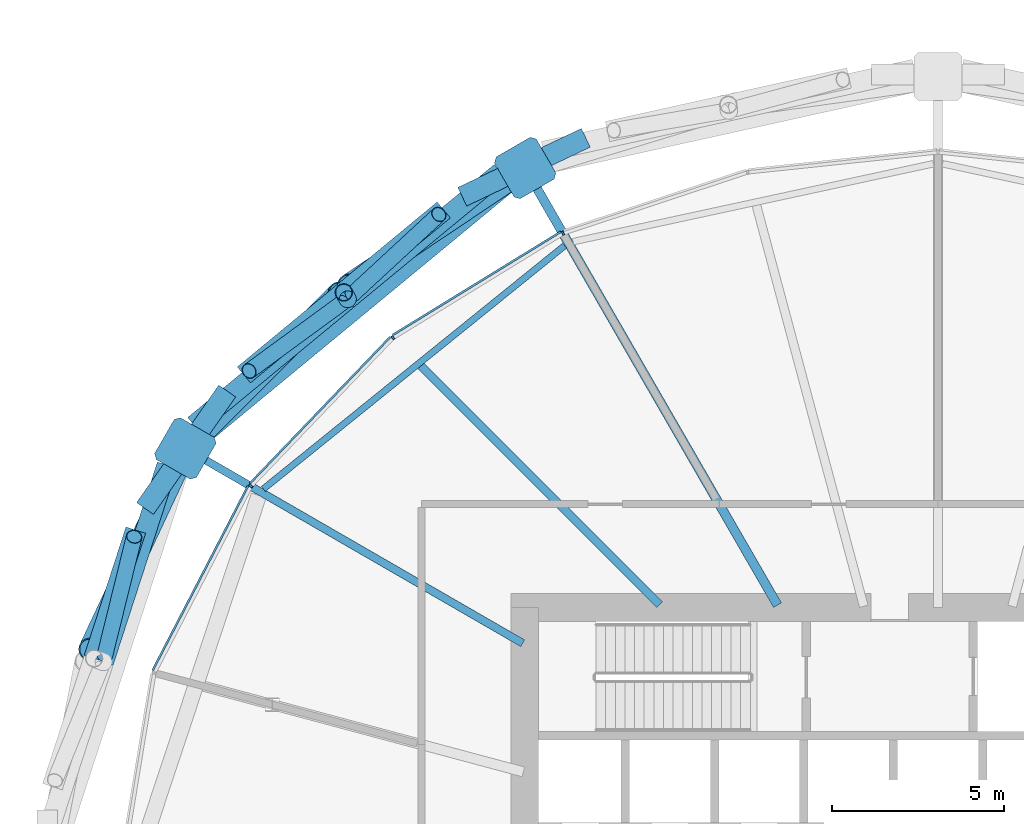
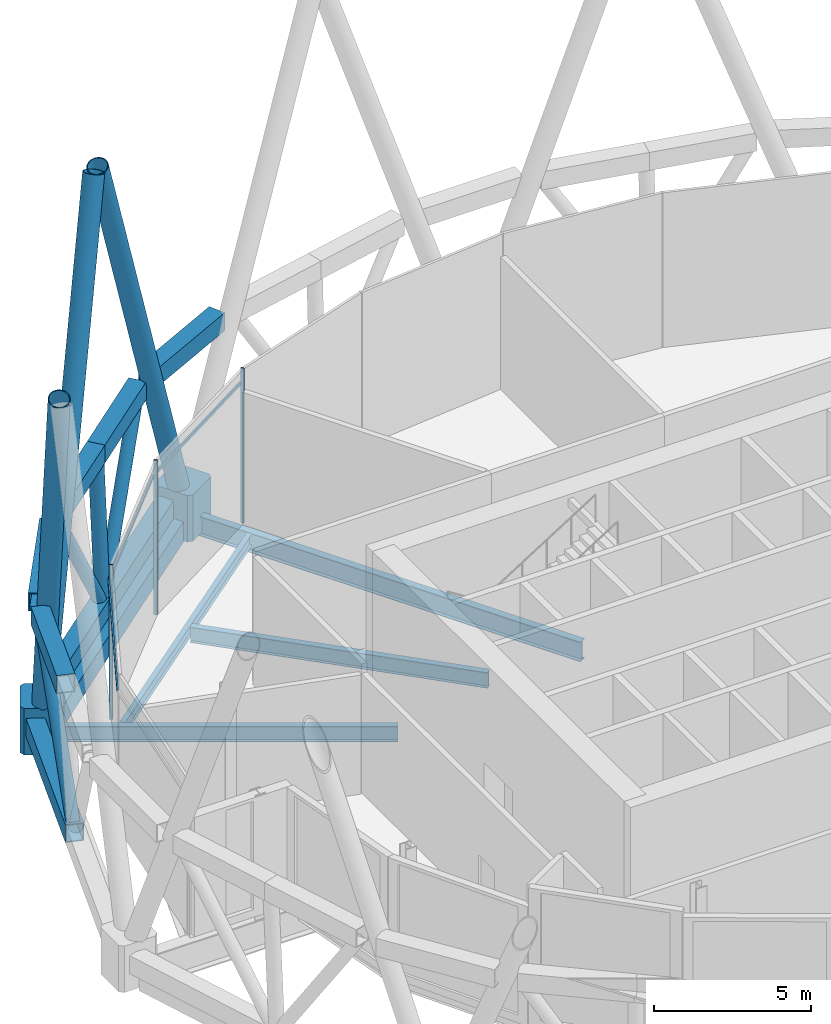
# One storey, part 11 of 33: 23 members, 5 beams, 1 element without a shape of its own.
"""IFC4 building model written with IfcOpenShell, lengths in metres."""

from ifc_helpers import new_model, si_unit, direction, frame, origin, origin_2d, place, context, subcontext, project, spatial, polyline, rectangle, hollow_rectangle, hollow_circle, i_section, outline, extrude, material, material_profile, profile_set, type_object, element, aggregate, save


model = new_model("IFC4")

# Units and contexts
model_context = context("Model", 3, precision=1e-05, world=origin(), true_north=direction((0.0, 1.0)))
body_context = subcontext(model_context, "Body", "Model", "MODEL_VIEW")
ifc_project = project(units=[si_unit("LENGTHUNIT", "METRE"), si_unit("AREAUNIT", "SQUARE_METRE"), si_unit("VOLUMEUNIT", "CUBIC_METRE"), si_unit("PLANEANGLEUNIT", "RADIAN"), si_unit("MASSUNIT", "GRAM", prefix="KILO")], contexts=[model_context])

# Site, building, storey
site_placement = place(None, origin())
site = spatial("IfcSite", under=ifc_project, at=site_placement, CompositionType="ELEMENT")
building_placement = place(site_placement, origin())
building = spatial("IfcBuilding", under=site, at=building_placement, Name="Rimbun Link Towers", CompositionType="ELEMENT")
storey_placement = place(building_placement, frame((0.0, 0.0, 75.60009765625)))
storey = spatial("IfcBuildingStorey", under=building, at=storey_placement, Name="L18", CompositionType="ELEMENT", Elevation=75.60009765625)

# Members
ifc_material_1 = material(Name="Steel S460N", Category="steel")
ifc_material_profile_1 = material_profile(ifc_material_1, hollow_rectangle(XDim=0.60009765625, YDim=0.699951171875, WallThickness=0.034912109375, at=origin_2d()), Name="Belt truss chord BOX 600x700x35")
ifc_profile_set_1 = profile_set([ifc_material_profile_1], Name="Steel S460N")
member_type_1 = type_object("IfcMemberType", Name="Belt truss chord BOX 600x700x35", PredefinedType="CHORD", material=ifc_profile_set_1)
member_1_placement = place(storey_placement, frame((-41.975830078125, 21.63818359375, 6.0), z_axis=(-0.902615066125, -0.430448652459, 0.0), x_axis=(0.430448652459, -0.902615066125, 0.0)))
element("IfcMember", 1, at=member_1_placement, inside=storey, type_object=member_type_1, Name="Belt truss chord T1 L18 top 04", PredefinedType="CHORD", context=body_context, shape_type="SweptSolid", body=[
    extrude(hollow_rectangle(XDim=0.60009765625, YDim=0.699951171875, WallThickness=0.034912109375, at=origin_2d()), origin(), (0.0, 0.0, 1.0), 3.9736328125),
])
member_2_placement = place(storey_placement, frame((-52.38916015625, 14.28466796875, 6.0), z_axis=(-0.57337572411, -0.819292547874, 0.0), x_axis=(0.819292547874, -0.57337572411, 0.0)))
element("IfcMember", 2, at=member_2_placement, inside=storey, type_object=member_type_1, Name="Belt truss chord T1 L18 top 05", PredefinedType="CHORD", context=body_context, shape_type="SweptSolid", body=[
    extrude(hollow_rectangle(XDim=0.60009765625, YDim=0.699951171875, WallThickness=0.034912109375, at=origin_2d()), origin(), (0.0, 0.0, 1.0), 4.16162109375),
])
member_3_placement = place(storey_placement, frame((-44.44189453125, 20.634033203125, 0.18994140625), z_axis=(-0.77126685936, -0.636511925775, 0.0), x_axis=(0.636511925775, -0.77126685936, 0.0)))
element("IfcMember", 3, at=member_3_placement, inside=storey, type_object=member_type_1, Name="Belt truss chord T1 L18 bottom 08", PredefinedType="CHORD", context=body_context, shape_type="SweptSolid", body=[
    extrude(hollow_rectangle(XDim=0.60009765625, YDim=0.699951171875, WallThickness=0.034912109375, at=origin_2d()), origin(), (0.0, 0.0, 1.0), 5.772216796875),
])
member_4_placement = place(storey_placement, frame((-48.893798828125, 16.9599609375, 0.18994140625), z_axis=(-0.771283994621, -0.636491162265, 0.0), x_axis=(0.636491162265, -0.771283994621, 0.0)))
element("IfcMember", 4, at=member_4_placement, inside=storey, type_object=member_type_1, Name="Belt truss chord T1 L18 bottom 09", PredefinedType="CHORD", context=body_context, shape_type="SweptSolid", body=[
    extrude(hollow_rectangle(XDim=0.60009765625, YDim=0.699951171875, WallThickness=0.034912109375, at=origin_2d()), origin(), (0.0, 0.0, 1.0), 5.7724609375),
])
member_5_placement = place(storey_placement, frame((-46.1025390625, 19.54296875, 6.0), z_axis=(-0.771298390091, -0.636473717795, 0.0), x_axis=(0.636473717795, -0.771298390091, 0.0)))
element("IfcMember", 5, at=member_5_placement, inside=storey, type_object=member_type_1, Name="Belt truss chord T1 L18 top 20", PredefinedType="CHORD", context=body_context, shape_type="SweptSolid", body=[
    extrude(hollow_rectangle(XDim=0.60009765625, YDim=0.699951171875, WallThickness=0.034912109375, at=origin_2d()), origin(), (0.0, 0.0, 1.0), 3.760986328125),
])
member_6_placement = place(storey_placement, frame((-49.00341796875, 17.149169921875, 6.0), z_axis=(-0.771272091865, -0.636505585451, 0.0), x_axis=(0.636505585451, -0.771272091865, 0.0)))
element("IfcMember", 6, at=member_6_placement, inside=storey, type_object=member_type_1, Name="Belt truss chord T1 L18 top 21", PredefinedType="CHORD", context=body_context, shape_type="SweptSolid", body=[
    extrude(hollow_rectangle(XDim=0.60009765625, YDim=0.699951171875, WallThickness=0.034912109375, at=origin_2d()), origin(), (0.0, 0.0, 1.0), 3.7607421875),
])
member_7_placement = place(storey_placement, frame((-54.131103515625, 12.1318359375, 0.18994140625), z_axis=(-0.309075966381, -0.951037353107, 0.0), x_axis=(0.951037353107, -0.309075966381, 0.0)))
element("IfcMember", 7, at=member_7_placement, inside=storey, type_object=member_type_1, Name="Belt truss chord T1 L18 bottom 10", PredefinedType="CHORD", context=body_context, shape_type="SweptSolid", body=[
    extrude(hollow_rectangle(XDim=0.60009765625, YDim=0.699951171875, WallThickness=0.034912109375, at=origin_2d()), origin(), (0.0, 0.0, 1.0), 6.0087890625),
])
member_8_placement = place(storey_placement, frame((-55.043701171875, 10.245849609375, 6.0), z_axis=(-0.309111447647, -0.951025821381, 0.0), x_axis=(0.951025821381, -0.309111447647, 0.0)))
element("IfcMember", 8, at=member_8_placement, inside=storey, type_object=member_type_1, Name="Belt truss chord T1 L18 top 22", PredefinedType="CHORD", context=body_context, shape_type="SweptSolid", body=[
    extrude(hollow_rectangle(XDim=0.60009765625, YDim=0.699951171875, WallThickness=0.034912109375, at=origin_2d()), origin(), (0.0, 0.0, 1.0), 3.916015625),
])
ifc_material_2 = material(Name="Steel S355J2H", Category="steel")
ifc_material_profile_2 = material_profile(ifc_material_2, hollow_circle(Radius=0.228515625, WallThickness=0.01611328125, at=origin_2d()), Name="Belt truss diagonal CHS 457x16")
ifc_profile_set_2 = profile_set([ifc_material_profile_2], Name="Steel S355J2H")
member_type_2 = type_object("IfcMemberType", Name="Belt truss diagonal CHS 457x16", PredefinedType="BRACE", material=ifc_profile_set_2)
member_9_placement = place(storey_placement, frame((-48.753173828125, 17.090087890625, 0.482666015625), z_axis=(0.401951302505, 0.371961356102, 0.836707774543), x_axis=(-0.679195869776, 0.733957063103, 0.0)))
element("IfcMember", 9, at=member_9_placement, inside=storey, type_object=member_type_2, Name="Belt truss diagonal T1 L18 08", PredefinedType="BRACE", context=body_context, shape_type="SweptSolid", body=[
    extrude(hollow_circle(Radius=0.228515625, WallThickness=0.01611328125, at=origin_2d()), origin(), (0.0, 0.0, 1.0), 6.243896484375),
])
member_10_placement = place(storey_placement, frame((-49.04638671875, 16.84814453125, 0.484375), z_axis=(-0.435957741043, -0.319295764311, 0.841422048034), x_axis=(0.590874279334, -0.806763649417, 0.0)))
element("IfcMember", 10, at=member_10_placement, inside=storey, type_object=member_type_2, Name="Belt truss diagonal T1 L18 09", PredefinedType="BRACE", context=body_context, shape_type="SweptSolid", body=[
    extrude(hollow_circle(Radius=0.228515625, WallThickness=0.01611328125, at=origin_2d()), origin(), (0.0, 0.0, 1.0), 6.204833984375),
])
member_11_placement = place(storey_placement, frame((-55.94140625, 6.608154296875, 0.4794921875), z_axis=(0.134549791341, 0.545227885807, 0.827419425798), x_axis=(-0.970874258335, 0.23958959598, 0.0)))
element("IfcMember", 11, at=member_11_placement, inside=storey, type_object=member_type_2, Name="Belt truss diagonal T1 L18 10", PredefinedType="BRACE", context=body_context, shape_type="SweptSolid", body=[
    extrude(hollow_circle(Radius=0.228515625, WallThickness=0.01611328125, at=origin_2d()), origin(), (0.0, 0.0, 1.0), 6.32177734375),
])
ifc_material_3 = material(Name="Steel S355J2H", Category="steel")
ifc_material_profile_3 = material_profile(ifc_material_3, hollow_circle(Radius=0.25390625, WallThickness=0.02001953125, at=origin_2d()), Name="Belt truss strut CHS 508x20")
ifc_profile_set_3 = profile_set([ifc_material_profile_3], Name="Steel S355J2H")
member_type_3 = type_object("IfcMemberType", Name="Belt truss strut CHS 508x20", PredefinedType="STRUT", material=ifc_profile_set_3)
member_12_placement = place(storey_placement, frame((-48.893798828125, 16.9599609375, 0.539794921875), z_axis=(-0.021431822526, 0.036992566721, 0.999085695519), x_axis=(-0.865273365949, -0.501300311369, 0.0)))
element("IfcMember", 12, at=member_12_placement, inside=storey, type_object=member_type_3, Name="Belt truss strut T1 L18 04", PredefinedType="STRUT", context=body_context, shape_type="SweptSolid", body=[
    extrude(hollow_circle(Radius=0.25390625, WallThickness=0.02001953125, at=origin_2d()), origin(), (0.0, 0.0, 1.0), 5.11474609375),
])

# Curtain wall, members
ifc_material_4 = material(Name="Aluminium 6063-T6 louvre wall", Category="aluminium")
curtain_wall_type = type_object("IfcCurtainWallType", Name="CW6 plant floor louvre wall", PredefinedType="NOTDEFINED", material=ifc_material_4)
curtain_wall_placement = place(storey_placement, origin())
curtain_wall = element("IfcCurtainWall", 13, at=curtain_wall_placement, inside=storey, type_object=curtain_wall_type, Name="CW6 L18 T1", PredefinedType="NOTDEFINED")
ifc_material_5 = material(Name="Aluminium 6063-T6", Category="aluminium")
ifc_material_profile_4 = material_profile(ifc_material_5, rectangle(XDim=0.1201171875, YDim=0.06005859375, at=origin_2d()), Name="MULLION 60X120")
ifc_profile_set_4 = profile_set([ifc_material_profile_4], Name="Aluminium 6063-T6")
member_type_4 = type_object("IfcMemberType", Name="CW6 mullion 60X120", PredefinedType="MULLION", material=ifc_profile_set_4)
member_13_placement = place(storey_placement, frame((-42.63720703125, 18.867919921875, 0.0), z_axis=(0.0, 0.0, 1.0), x_axis=(-0.421707494274, 0.90673192801, 0.0)))
member_13 = element("IfcMember", 14, at=member_13_placement, type_object=member_type_4, Name="CW6 mullion", PredefinedType="MULLION", context=body_context, shape_type="SweptSolid", body=[
    extrude(rectangle(XDim=0.1201171875, YDim=0.06005859375, at=origin_2d()), origin(), (0.0, 0.0, 1.0), 6.0),
])
member_14_placement = place(storey_placement, frame((-47.576171875, 15.835205078125, 0.0), z_axis=(0.0, 0.0, 1.0), x_axis=(-0.627665460288, 0.778483185407, 0.0)))
member_14 = element("IfcMember", 15, at=member_14_placement, type_object=member_type_4, Name="CW6 mullion", PredefinedType="MULLION", context=body_context, shape_type="SweptSolid", body=[
    extrude(rectangle(XDim=0.1201171875, YDim=0.06005859375, at=origin_2d()), origin(), (0.0, 0.0, 1.0), 6.0),
])
member_15_placement = place(storey_placement, frame((-51.70556640625, 11.528076171875, 0.0), z_axis=(0.0, 0.0, 1.0), x_axis=(-0.813348706605, 0.581776487548, 0.0)))
member_15 = element("IfcMember", 16, at=member_15_placement, type_object=member_type_4, Name="CW6 mullion", PredefinedType="MULLION", context=body_context, shape_type="SweptSolid", body=[
    extrude(rectangle(XDim=0.1201171875, YDim=0.06005859375, at=origin_2d()), origin(), (0.0, 0.0, 1.0), 6.0),
])
ifc_material_6 = material(Name="Aluminium 6063-T6", Category="aluminium")
ifc_material_profile_5 = material_profile(ifc_material_6, rectangle(XDim=0.06005859375, YDim=0.1201171875, at=origin_2d()), Name="TRANSOM 60X120")
ifc_profile_set_5 = profile_set([ifc_material_profile_5], Name="Aluminium 6063-T6")
member_type_5 = type_object("IfcMemberType", Name="CW6 transom 60X120", PredefinedType="USERDEFINED", material=ifc_profile_set_5)
member_16_placement = place(storey_placement, frame((-47.5810546875, 15.9150390625, 5.39990234375), z_axis=(0.852195594829, 0.523223344427, 0.0), x_axis=(-0.523223344427, 0.852195594829, 0.0)))
member_16 = element("IfcMember", 17, at=member_16_placement, type_object=member_type_5, Name="CW6 transom", ObjectType="TRANSOM", PredefinedType="USERDEFINED", context=body_context, shape_type="SweptSolid", body=[
    extrude(rectangle(XDim=0.06005859375, YDim=0.1201171875, at=origin_2d()), origin(), (0.0, 0.0, 1.0), 5.72119140625),
])
member_17_placement = place(storey_placement, frame((-51.729736328125, 11.604736328125, 5.39990234375), z_axis=(0.692050275871, 0.721849302602, 0.0), x_axis=(-0.721849302602, 0.692050275871, 0.0)))
member_17 = element("IfcMember", 18, at=member_17_placement, type_object=member_type_5, Name="CW6 transom", ObjectType="TRANSOM", PredefinedType="USERDEFINED", context=body_context, shape_type="SweptSolid", body=[
    extrude(rectangle(XDim=0.06005859375, YDim=0.1201171875, at=origin_2d()), origin(), (0.0, 0.0, 1.0), 5.890625),
])
member_18_placement = place(storey_placement, frame((-54.55712890625, 6.170166015625, 5.39990234375), z_axis=(0.459542963883, 0.888155540627, 0.0), x_axis=(-0.888155540627, 0.459542963883, 0.0)))
member_18 = element("IfcMember", 19, at=member_18_placement, type_object=member_type_5, Name="CW6 transom", ObjectType="TRANSOM", PredefinedType="USERDEFINED", context=body_context, shape_type="SweptSolid", body=[
    extrude(rectangle(XDim=0.06005859375, YDim=0.1201171875, at=origin_2d()), origin(), (0.0, 0.0, 1.0), 6.030517578125),
])
aggregate(curtain_wall, [member_13, member_14, member_15, member_16, member_17, member_18])

# Members
ifc_material_7 = material(Name="Steel S460NH", Category="steel")
ifc_material_profile_6 = material_profile(ifc_material_7, hollow_circle(Radius=0.355712890625, WallThickness=0.031982421875, at=origin_2d()), Name="Diagrid diagonal CHS 711x32")
ifc_profile_set_6 = profile_set([ifc_material_profile_6], Name="Steel S460NH")
member_type_6 = type_object("IfcMemberType", Name="Diagrid diagonal CHS 711x32", PredefinedType="BRACE", material=ifc_profile_set_6)
member_19_placement = place(storey_placement, frame((-43.878662109375, 20.666748046875, 0.4697265625), z_axis=(-0.28366520323, -0.190308976092, 0.939849214553), x_axis=(0.557127549683, -0.830426934405, 0.0)))
element("IfcMember", 20, at=member_19_placement, inside=storey, type_object=member_type_6, Name="Diagrid diagonal T1 L18-L22 08b", PredefinedType="BRACE", context=body_context, shape_type="SweptSolid", body=[
    extrude(hollow_circle(Radius=0.355712890625, WallThickness=0.031982421875, at=origin_2d()), origin(), (0.0, 0.0, 1.0), 17.513671875),
])
member_20_placement = place(storey_placement, frame((-53.48095703125, 12.742431640625, 0.468017578125), z_axis=(0.248394646065, 0.248602891073, 0.936214025934), x_axis=(-0.707403001156, 0.706810437074, 0.0)))
element("IfcMember", 21, at=member_20_placement, inside=storey, type_object=member_type_6, Name="Diagrid diagonal T1 L18-L22 10a", PredefinedType="BRACE", context=body_context, shape_type="SweptSolid", body=[
    extrude(hollow_circle(Radius=0.355712890625, WallThickness=0.031982421875, at=origin_2d()), origin(), (0.0, 0.0, 1.0), 17.585693359375),
])
member_21_placement = place(storey_placement, frame((-53.680908203125, 12.456787109375, 0.467041015625), z_axis=(-0.151480709948, -0.322523406583, 0.934361946314), x_axis=(0.905137422399, -0.425119096929, 0.0)))
element("IfcMember", 22, at=member_21_placement, inside=storey, type_object=member_type_6, Name="Diagrid diagonal T1 L18-L22 10b", PredefinedType="BRACE", context=body_context, shape_type="SweptSolid", body=[
    extrude(hollow_circle(Radius=0.355712890625, WallThickness=0.031982421875, at=origin_2d()), origin(), (0.0, 0.0, 1.0), 17.622314453125),
])
ifc_material_8 = material(Name="Cast steel G20Mn5+QT, Rp0.2 300 MPa", Category="steel")
ifc_material_profile_7 = material_profile(ifc_material_8, outline(polyline([(0.699951171875, -0.570068359375), (0.699951171875, 0.570068359375), (0.570068359375, 0.699951171875), (-0.570068359375, 0.699951171875), (-0.699951171875, 0.570068359375), (-0.699951171875, -0.570068359375), (-0.570068359375, -0.699951171875), (0.570068359375, -0.699951171875), (0.699951171875, -0.570068359375)])), Name="NODE 1400x1400")
ifc_profile_set_7 = profile_set([ifc_material_profile_7], Name="Cast steel G20Mn5+QT, Rp0.2 300 MPa")
member_type_7 = type_object("IfcMemberType", Name="Diagrid node cast 1400", PredefinedType="USERDEFINED", material=ifc_profile_set_7)
for number, where, z_axis, x_axis, name in (
    (23, (-43.73681640625, 20.761962890625, -0.900146484375), (0.0, 0.0, 1.0), (-0.5, 0.866025403784, 0.0), "Diagrid node L18 08"),
    (24, (-53.605224609375, 12.6181640625, -0.900146484375), (0.0, 0.0, 1.0), (-0.866025403784, 0.5, 0.0), "Diagrid node L18 10"),
):
    element("IfcMember", number, at=place(storey_placement, frame(where, z_axis=z_axis, x_axis=x_axis)), inside=storey, type_object=member_type_7, Name=name, ObjectType="Diagrid node", PredefinedType="USERDEFINED", context=body_context, shape_type="SweptSolid", body=[
        extrude(outline(polyline([(0.699951171875, -0.570068359375), (0.699951171875, 0.570068359375), (0.570068359375, 0.699951171875), (-0.570068359375, 0.699951171875), (-0.699951171875, 0.570068359375), (-0.699951171875, -0.570068359375), (-0.570068359375, -0.699951171875), (0.570068359375, -0.699951171875), (0.699951171875, -0.570068359375)])), origin(), (0.0, 0.0, 1.0), 1.800048828125),
    ])

# Beams
ifc_material_9 = material(Name="Steel S355J2", Category="steel")
ifc_material_profile_8 = material_profile(ifc_material_9, hollow_rectangle(XDim=0.60009765625, YDim=0.800048828125, WallThickness=0.0400390625, at=origin_2d()), Name="Exoskeleton ring girder BOX 600x800x40")
ifc_profile_set_8 = profile_set([ifc_material_profile_8], Name="Steel S355J2")
beam_type_1 = type_object("IfcBeamType", Name="Exoskeleton ring girder BOX 600x800x40", PredefinedType="BEAM", material=ifc_profile_set_8)
beam_1_placement = place(storey_placement, frame((-44.27685546875, 20.31640625, -0.56005859375), z_axis=(-0.771273612838, -0.636503742439, 0.0), x_axis=(0.636503742439, -0.771273612838, 0.0)))
element("IfcBeam", 25, at=beam_1_placement, inside=storey, type_object=beam_type_1, Name="Exoskeleton ring girder L18 04", PredefinedType="BEAM", context=body_context, shape_type="SweptSolid", body=[
    extrude(hollow_rectangle(XDim=0.60009765625, YDim=0.800048828125, WallThickness=0.0400390625, at=origin_2d()), origin(), (0.0, 0.0, 1.0), 11.39453125),
])
ifc_material_10 = material(Name="Steel S355J2", Category="steel")
ifc_material_profile_9 = material_profile(ifc_material_10, i_section(OverallWidth=0.18994140625, OverallDepth=0.453369140625, WebThickness=0.008544921875, FlangeThickness=0.0126953125, at=origin_2d()), Name="UB 457x191x67")
ifc_profile_set_9 = profile_set([ifc_material_profile_9], Name="Steel S355J2")
beam_type_2 = type_object("IfcBeamType", Name="UB 457x191x67", PredefinedType="BEAM", material=ifc_profile_set_9)
beam_2_placement = place(storey_placement, frame((-42.590087890625, 18.5068359375, -0.4267578125), z_axis=(-0.777964854273, -0.628307795206, 0.0), x_axis=(0.628307795206, -0.777964854273, 0.0)))
element("IfcBeam", 26, at=beam_2_placement, inside=storey, type_object=beam_type_2, Name="Edge beam T1 L18 08-10", PredefinedType="BEAM", context=body_context, shape_type="SweptSolid", body=[
    extrude(i_section(OverallWidth=0.18994140625, OverallDepth=0.453369140625, WebThickness=0.008544921875, FlangeThickness=0.0126953125, at=origin_2d()), origin(), (0.0, 0.0, 1.0), 11.244873046875),
])
ifc_material_11 = material(Name="Steel S355J2", Category="steel")
ifc_material_profile_10 = material_profile(ifc_material_11, i_section(OverallWidth=0.2275390625, OverallDepth=0.6025390625, WebThickness=0.010498046875, FlangeThickness=0.014892578125, at=origin_2d()), Name="UB 610x229x101")
ifc_profile_set_10 = profile_set([ifc_material_profile_10], Name="Steel S355J2")
beam_type_3 = type_object("IfcBeamType", Name="UB 610x229x101", PredefinedType="BEAM", material=ifc_profile_set_10)
beam_3_placement = place(storey_placement, frame((-39.831298828125, 8.081298828125, -0.50146484375), z_axis=(-0.707106781187, 0.707106781187, 0.0), x_axis=(-0.707106781187, -0.707106781187, 0.0)))
element("IfcBeam", 27, at=beam_3_placement, inside=storey, type_object=beam_type_3, Name="Radial beam T1 L18 09", PredefinedType="BEAM", context=body_context, shape_type="SweptSolid", body=[
    extrude(i_section(OverallWidth=0.2275390625, OverallDepth=0.6025390625, WebThickness=0.010498046875, FlangeThickness=0.014892578125, at=origin_2d()), origin(), (0.0, 0.0, 1.0), 9.80322265625),
])
beam_4_placement = place(storey_placement, frame((-43.807861328125, 6.96142578125, -0.50146484375), z_axis=(-0.866014130296, 0.500019525747, 0.0), x_axis=(-0.500019525747, -0.866014130296, 0.0)))
element("IfcBeam", 28, at=beam_4_placement, inside=storey, type_object=beam_type_3, Name="Radial beam T1 L18 10", PredefinedType="BEAM", context=body_context, shape_type="SweptSolid", body=[
    extrude(i_section(OverallWidth=0.2275390625, OverallDepth=0.6025390625, WebThickness=0.010498046875, FlangeThickness=0.014892578125, at=origin_2d()), origin(), (0.0, 0.0, 1.0), 10.81298828125),
])
ifc_material_12 = material(Name="Steel S355J2", Category="steel")
ifc_material_profile_11 = material_profile(ifc_material_12, i_section(OverallWidth=0.2666015625, OverallDepth=0.76220703125, WebThickness=0.014404296875, FlangeThickness=0.021484375, at=origin_2d()), Name="UB 762x267x173")
ifc_profile_set_11 = profile_set([ifc_material_profile_11], Name="Steel S355J2")
beam_type_4 = type_object("IfcBeamType", Name="UB 762x267x173", PredefinedType="BEAM", material=ifc_profile_set_11)
beam_5_placement = place(storey_placement, frame((-36.40771484375, 8.0673828125, -0.581298828125), z_axis=(-0.499989137667, 0.866031675065, 0.0), x_axis=(-0.866031675065, -0.499989137667, 0.0)))
element("IfcBeam", 29, at=beam_5_placement, inside=storey, type_object=beam_type_4, Name="Radial beam T1 L18 08", PredefinedType="BEAM", context=body_context, shape_type="SweptSolid", body=[
    extrude(i_section(OverallWidth=0.2666015625, OverallDepth=0.76220703125, WebThickness=0.014404296875, FlangeThickness=0.021484375, at=origin_2d()), origin(), (0.0, 0.0, 1.0), 14.158447265625),
])

save(model, "model.ifc")
